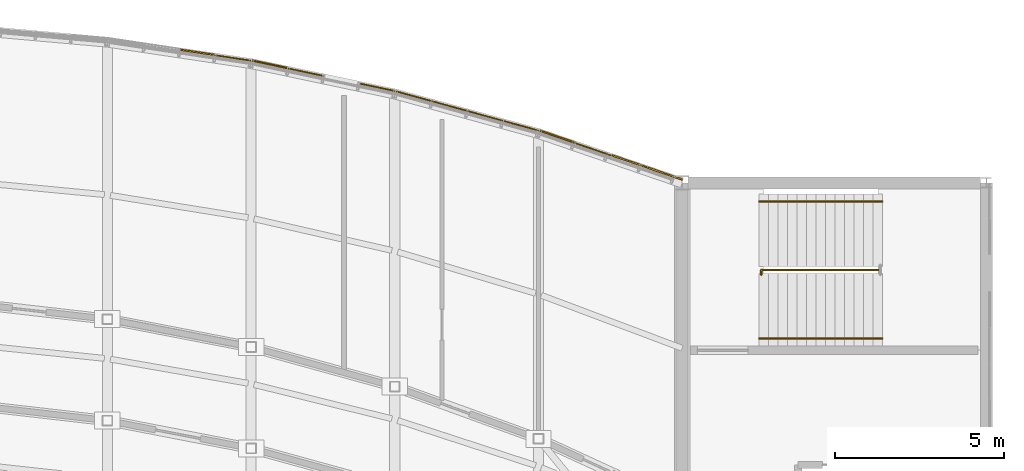
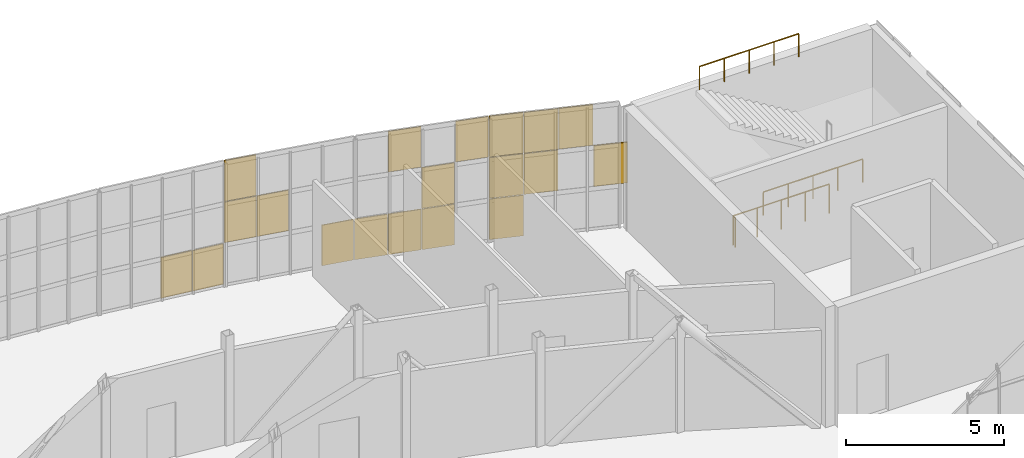
# One storey, part 45 of 46: 19 coverings, 3 railings.
"""IFC4 building model written with IfcOpenShell, lengths in metres."""

from ifc_helpers import new_model, si_unit, direction, frame, origin, origin_2d, place, context, subcontext, project, spatial, rectangle, circle, extrude, material, layer, layer_set, type_object, element, save


model = new_model("IFC4")

# Units and contexts
model_context = context("Model", 3, precision=1e-05, world=origin(), true_north=direction((0.0, 1.0)))
body_context = subcontext(model_context, "Body", "Model", "MODEL_VIEW")
ifc_project = project(units=[si_unit("LENGTHUNIT", "METRE"), si_unit("AREAUNIT", "SQUARE_METRE"), si_unit("VOLUMEUNIT", "CUBIC_METRE"), si_unit("PLANEANGLEUNIT", "RADIAN"), si_unit("MASSUNIT", "GRAM", prefix="KILO")], contexts=[model_context])

# Site, building, storey
site_placement = place(None, origin())
site = spatial("IfcSite", under=ifc_project, at=site_placement, CompositionType="ELEMENT")
building_placement = place(site_placement, origin())
building = spatial("IfcBuilding", under=site, at=building_placement, Name="Solvikara Media Centre", CompositionType="ELEMENT")
storey_placement = place(building_placement, frame((0.0, 0.0, 24.60009765625)))
storey = spatial("IfcBuildingStorey", under=building, at=storey_placement, Name="L05", CompositionType="ELEMENT", Elevation=24.60009765625)

# Coverings
ifc_material_1 = material(Name="GFRC white mineral architectural rainscreen panel")
ifc_layer_1 = layer(ifc_material_1, 0.050048828125)
ifc_layer_set_1 = layer_set([ifc_layer_1], Name="GFRC white mineral architectural rainscreen panel")
covering_type_1 = type_object("IfcCoveringType", Name="CV-04", PredefinedType="CLADDING", material=ifc_layer_set_1)
covering_1_placement = place(storey_placement, frame((113.1708984375, 40.659912109375, 0.0146484375), z_axis=(0.0, 0.0, 1.0), x_axis=(0.989069971909, -0.147446907963, 0.0)))
element("IfcCovering", 1, at=covering_1_placement, inside=storey, type_object=covering_type_1, Name="CW-L05-NARC-08-SF-20", PredefinedType="CLADDING", context=body_context, shape_type="SweptSolid", body=[
    extrude(rectangle(XDim=1.0439453125, YDim=0.050048828125, at=origin_2d()), origin(), (0.0, 0.0, 1.0), 1.570068359375),
])
covering_2_placement = place(storey_placement, frame((115.300048828125, 40.30908203125, 3.21484375), z_axis=(0.0, 0.0, 1.0), x_axis=(0.978447760018, -0.206494505776, 0.0)))
element("IfcCovering", 2, at=covering_2_placement, inside=storey, type_object=covering_type_1, Name="CW-L05-NARC-09-SF-02", PredefinedType="CLADDING", context=body_context, shape_type="SweptSolid", body=[
    extrude(rectangle(XDim=1.055908203125, YDim=0.050048828125, at=origin_2d()), origin(), (0.0, 0.0, 1.0), 1.570068359375),
])
for number, where, z_axis, x_axis, name in (
    (3, (123.81201171875, 38.166015625, 1.61474609375), (0.0, 0.0, 1.0), (0.945807995037, -0.324726402566, 0.0), "CW-L05-NARC-11-SF-01"),
    (4, (123.81201171875, 38.166015625, 3.21484375), (0.0, 0.0, 1.0), (0.945807995037, -0.324726402566, 0.0), "CW-L05-NARC-11-SF-02"),
    (5, (125.93701171875, 37.43603515625, 3.21484375), (0.0, 0.0, 1.0), (0.945807995037, -0.324726402566, 0.0), "CW-L05-NARC-11-SF-22"),
    (6, (126.9990234375, 37.072021484375, 1.61474609375), (0.0, 0.0, 1.0), (0.945807995037, -0.324726402566, 0.0), "CW-L05-NARC-11-SF-31"),
):
    element("IfcCovering", number, at=place(storey_placement, frame(where, z_axis=z_axis, x_axis=x_axis)), inside=storey, type_object=covering_type_1, Name=name, PredefinedType="CLADDING", context=body_context, shape_type="SweptSolid", body=[
        extrude(rectangle(XDim=1.093017578125, YDim=0.050048828125, at=origin_2d()), origin(), (0.0, 0.0, 1.0), 1.570068359375),
    ])
ifc_material_2 = material(Name="Insulated silver-pearl glass spandrel panel", Category="glass")
ifc_layer_2 = layer(ifc_material_2, 0.034912109375)
ifc_layer_set_2 = layer_set([ifc_layer_2], Name="Insulated silver-pearl glass spandrel panel")
covering_type_2 = type_object("IfcCoveringType", Name="CV-06", PredefinedType="CLADDING", material=ifc_layer_set_2)
covering_3_placement = place(storey_placement, frame((114.23193359375, 40.491943359375, 0.0146484375), z_axis=(0.0, 0.0, 1.0), x_axis=(0.988930567215, -0.148379018826, 0.0)))
element("IfcCovering", 7, at=covering_3_placement, inside=storey, type_object=covering_type_2, Name="CW-L05-NARC-08-PX-30", PredefinedType="CLADDING", context=body_context, shape_type="SweptSolid", body=[
    extrude(rectangle(XDim=1.044921875, YDim=0.034912109375, at=origin_2d()), origin(), (0.0, 0.0, 1.0), 1.570068359375),
])
for number, where, z_axis, x_axis, name in (
    (8, (115.298095703125, 40.299072265625, 1.61474609375), (0.0, 0.0, 1.0), (0.978447760018, -0.206494505776, 0.0), "CW-L05-NARC-09-PX-01"),
    (9, (116.362060546875, 40.074951171875, 1.61474609375), (0.0, 0.0, 1.0), (0.978256328953, -0.207399505455, 0.0), "CW-L05-NARC-09-PX-11"),
    (10, (118.487060546875, 39.6259765625, 0.0146484375), (0.0, 0.0, 1.0), (0.978256328953, -0.207399505455, 0.0), "CW-L05-NARC-09-PX-30"),
):
    element("IfcCovering", number, at=place(storey_placement, frame(where, z_axis=z_axis, x_axis=x_axis)), inside=storey, type_object=covering_type_2, Name=name, PredefinedType="CLADDING", context=body_context, shape_type="SweptSolid", body=[
        extrude(rectangle(XDim=1.055908203125, YDim=0.034912109375, at=origin_2d()), origin(), (0.0, 0.0, 1.0), 1.570068359375),
    ])
covering_4_placement = place(storey_placement, frame((119.552978515625, 39.364990234375, 0.0146484375), z_axis=(0.0, 0.0, 1.0), x_axis=(0.963984083771, -0.265959933516, 0.0)))
element("IfcCovering", 11, at=covering_4_placement, inside=storey, type_object=covering_type_2, Name="CW-L05-NARC-10-PX-00", PredefinedType="CLADDING", context=body_context, shape_type="SweptSolid", body=[
    extrude(rectangle(XDim=1.072021484375, YDim=0.034912109375, at=origin_2d()), origin(), (0.0, 0.0, 1.0), 1.570068359375),
])
for number, where, z_axis, x_axis, name in (
    (12, (120.615966796875, 39.072998046875, 0.0146484375), (0.0, 0.0, 1.0), (0.964049041264, -0.265724379832, 0.0), "CW-L05-NARC-10-PX-10"),
    (13, (120.615966796875, 39.072998046875, 3.21484375), (0.0, 0.0, 1.0), (0.964049041264, -0.265724379832, 0.0), "CW-L05-NARC-10-PX-12"),
):
    element("IfcCovering", number, at=place(storey_placement, frame(where, z_axis=z_axis, x_axis=x_axis)), inside=storey, type_object=covering_type_2, Name=name, PredefinedType="CLADDING", context=body_context, shape_type="SweptSolid", body=[
        extrude(rectangle(XDim=1.072998046875, YDim=0.034912109375, at=origin_2d()), origin(), (0.0, 0.0, 1.0), 1.570068359375),
    ])
for number, where, z_axis, x_axis, name in (
    (14, (121.677978515625, 38.780029296875, 0.0146484375), (0.0, 0.0, 1.0), (0.964225064307, -0.2650849399, 0.0), "CW-L05-NARC-10-PX-20"),
    (15, (121.677978515625, 38.780029296875, 1.61474609375), (0.0, 0.0, 1.0), (0.964225064307, -0.2650849399, 0.0), "CW-L05-NARC-10-PX-21"),
):
    element("IfcCovering", number, at=place(storey_placement, frame(where, z_axis=z_axis, x_axis=x_axis)), inside=storey, type_object=covering_type_2, Name=name, PredefinedType="CLADDING", context=body_context, shape_type="SweptSolid", body=[
        extrude(rectangle(XDim=1.071044921875, YDim=0.034912109375, at=origin_2d()), origin(), (0.0, 0.0, 1.0), 1.570068359375),
    ])
covering_5_placement = place(storey_placement, frame((122.740966796875, 38.487060546875, 3.21484375), z_axis=(0.0, 0.0, 1.0), x_axis=(0.964049041264, -0.265724379832, 0.0)))
element("IfcCovering", 16, at=covering_5_placement, inside=storey, type_object=covering_type_2, Name="CW-L05-NARC-10-PX-32", PredefinedType="CLADDING", context=body_context, shape_type="SweptSolid", body=[
    extrude(rectangle(XDim=1.072998046875, YDim=0.034912109375, at=origin_2d()), origin(), (0.0, 0.0, 1.0), 1.570068359375),
])
covering_6_placement = place(storey_placement, frame((123.80810546875, 38.156982421875, 0.0146484375), z_axis=(0.0, 0.0, 1.0), x_axis=(0.945626486098, -0.325254590729, 0.0)))
element("IfcCovering", 17, at=covering_6_placement, inside=storey, type_object=covering_type_2, Name="CW-L05-NARC-11-PX-00", PredefinedType="CLADDING", context=body_context, shape_type="SweptSolid", body=[
    extrude(rectangle(XDim=1.094970703125, YDim=0.034912109375, at=origin_2d()), origin(), (0.0, 0.0, 1.0), 1.570068359375),
])
for number, where, z_axis, x_axis, name in (
    (18, (124.87109375, 37.7919921875, 1.61474609375), (0.0, 0.0, 1.0), (0.945529939496, -0.325535149434, 0.0), "CW-L05-NARC-11-PX-11"),
    (19, (124.87109375, 37.7919921875, 3.21484375), (0.0, 0.0, 1.0), (0.945529939496, -0.325535149434, 0.0), "CW-L05-NARC-11-PX-12"),
):
    element("IfcCovering", number, at=place(storey_placement, frame(where, z_axis=z_axis, x_axis=x_axis)), inside=storey, type_object=covering_type_2, Name=name, PredefinedType="CLADDING", context=body_context, shape_type="SweptSolid", body=[
        extrude(rectangle(XDim=1.093994140625, YDim=0.034912109375, at=origin_2d()), origin(), (0.0, 0.0, 1.0), 1.570068359375),
    ])

# Railings
ifc_material_3 = material(Name="Steel S355JR", Category="steel")
railing_type_1 = type_object("IfcRailingType", Name="GR-01", PredefinedType="GUARDRAIL", material=ifc_material_3)
railing_1_placement = place(storey_placement, frame((129.840087890625, 34.080078125, 0.0)))
element("IfcRailing", 20, at=railing_1_placement, inside=storey, type_object=railing_type_1, Name="GR-C4-L04-W", PredefinedType="GUARDRAIL", context=body_context, shape_type="SweptSolid", body=[
    extrude(circle(Radius=0.02392578125, at=origin_2d()), frame((0.0, 0.0, 1.1259765625), z_axis=(0.0, 1.0, 0.0), x_axis=(-1.0, 0.0, 0.0)), (0.0, 0.0, 1.0), 0.139892578125),
    extrude(circle(Radius=0.02392578125, at=origin_2d()), frame((0.0, 0.139892578125, 1.1259765625), z_axis=(1.0, 0.0, 0.0), x_axis=(0.0, 1.0, 0.0)), (0.0, 0.0, 1.0), 3.52001953125),
    extrude(circle(Radius=0.02099609375, at=origin_2d()), origin(), (0.0, 0.0, 1.0), 1.101806640625),
    extrude(circle(Radius=0.02099609375, at=origin_2d()), frame((0.0, 0.139892578125, 0.0)), (0.0, 0.0, 1.0), 1.101806640625),
    extrude(circle(Radius=0.02099609375, at=origin_2d()), frame((0.8798828125, 0.139892578125, 0.0)), (0.0, 0.0, 1.0), 1.101806640625),
    extrude(circle(Radius=0.02099609375, at=origin_2d()), frame((1.760009765625, 0.139892578125, 0.0)), (0.0, 0.0, 1.0), 1.101806640625),
    extrude(circle(Radius=0.02099609375, at=origin_2d()), frame((2.64013671875, 0.139892578125, 0.0)), (0.0, 0.0, 1.0), 1.101806640625),
    extrude(circle(Radius=0.02099609375, at=origin_2d()), frame((3.52001953125, 0.139892578125, 0.0)), (0.0, 0.0, 1.0), 1.101806640625),
])
railing_type_2 = type_object("IfcRailingType", Name="HR-01", PredefinedType="HANDRAIL", material=ifc_material_3)
railing_2_placement = place(storey_placement, frame((129.780029296875, 32.199951171875, 2.39990234375)))
element("IfcRailing", 21, at=railing_2_placement, inside=storey, type_object=railing_type_2, Name="HR-C4-L05-1", PredefinedType="HANDRAIL", context=body_context, shape_type="SweptSolid", body=[
    extrude(circle(Radius=0.02392578125, at=origin_2d()), frame((0.0, 0.0, 0.89599609375), z_axis=(1.0, 0.0, 0.0), x_axis=(0.0, 1.0, 0.0)), (0.0, 0.0, 1.0), 3.639892578125),
    extrude(circle(Radius=0.02099609375, at=origin_2d()), origin(), (0.0, 0.0, 1.0), 0.871826171875),
    extrude(circle(Radius=0.02099609375, at=origin_2d()), frame((0.909912109375, 0.0, 0.0)), (0.0, 0.0, 1.0), 0.871826171875),
    extrude(circle(Radius=0.02099609375, at=origin_2d()), frame((1.81982421875, 0.0, 0.0)), (0.0, 0.0, 1.0), 0.871826171875),
    extrude(circle(Radius=0.02099609375, at=origin_2d()), frame((2.72998046875, 0.0, 0.0)), (0.0, 0.0, 1.0), 0.871826171875),
    extrude(circle(Radius=0.02099609375, at=origin_2d()), frame((3.639892578125, 0.0, 0.0)), (0.0, 0.0, 1.0), 0.871826171875),
])
railing_3_placement = place(storey_placement, frame((133.419921875, 36.25, 4.7998046875)))
element("IfcRailing", 22, at=railing_3_placement, inside=storey, type_object=railing_type_2, Name="HR-C4-L05-2", PredefinedType="HANDRAIL", context=body_context, shape_type="SweptSolid", body=[
    extrude(circle(Radius=0.02392578125, at=origin_2d()), frame((0.0, 0.0, 0.89599609375), z_axis=(-1.0, 0.0, 0.0), x_axis=(0.0, -1.0, 0.0)), (0.0, 0.0, 1.0), 3.639892578125),
    extrude(circle(Radius=0.02099609375, at=origin_2d()), origin(), (0.0, 0.0, 1.0), 0.871826171875),
    extrude(circle(Radius=0.02099609375, at=origin_2d()), frame((-0.909912109375, 0.0, 0.0)), (0.0, 0.0, 1.0), 0.871826171875),
    extrude(circle(Radius=0.02099609375, at=origin_2d()), frame((-1.81982421875, 0.0, 0.0)), (0.0, 0.0, 1.0), 0.871826171875),
    extrude(circle(Radius=0.02099609375, at=origin_2d()), frame((-2.72998046875, 0.0, 0.0)), (0.0, 0.0, 1.0), 0.871826171875),
    extrude(circle(Radius=0.02099609375, at=origin_2d()), frame((-3.639892578125, 0.0, 0.0)), (0.0, 0.0, 1.0), 0.871826171875),
])

save(model, "model.ifc")
